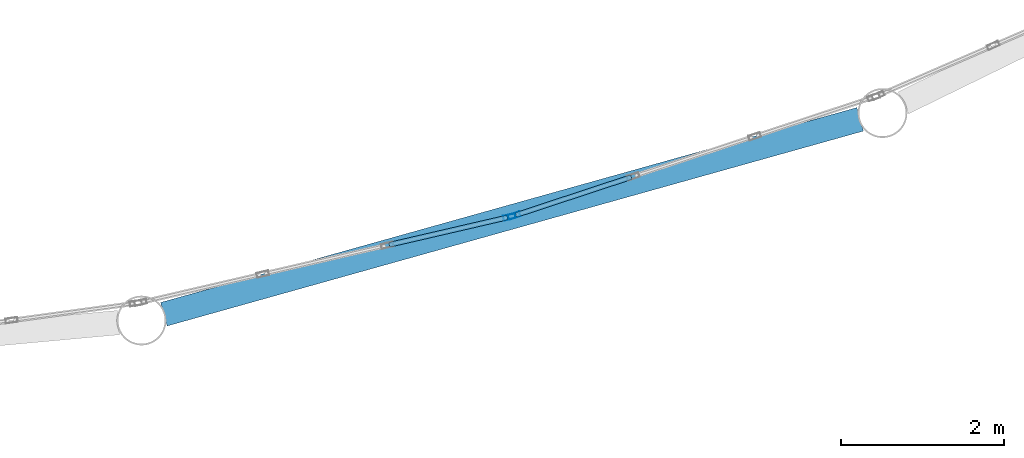
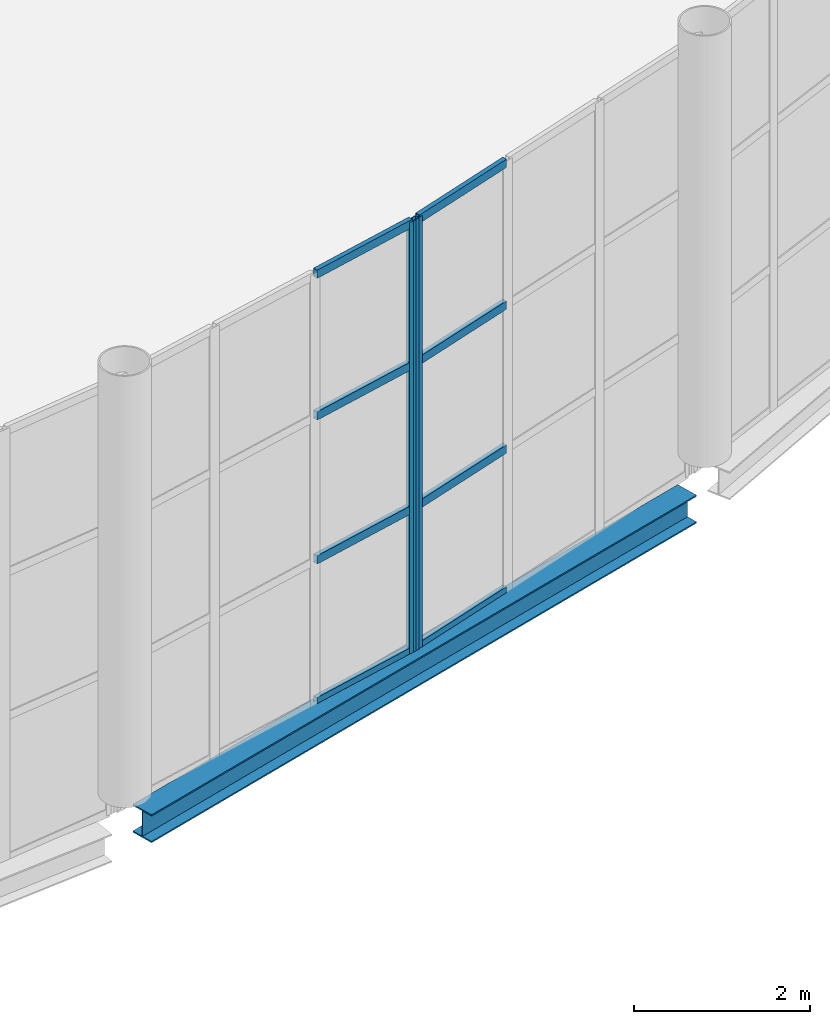
# One storey, part 44 of 191: 10 members, 1 beam, 2 elements without a shape of their own.
"""IFC4 building model written with IfcOpenShell, lengths in metres."""

from ifc_helpers import new_model, si_unit, direction, frame, origin, origin_2d, place, context, subcontext, project, spatial, hollow_rectangle, i_section, extrude, material, layer, layer_set, material_profile, profile_set, type_object, element, aggregate, save


model = new_model("IFC4")

# Units and contexts
model_context = context("Model", 3, precision=1e-05, world=origin(), true_north=direction((0.0, 1.0)))
body_context = subcontext(model_context, "Body", "Model", "MODEL_VIEW")
ifc_project = project(units=[si_unit("LENGTHUNIT", "METRE"), si_unit("AREAUNIT", "SQUARE_METRE"), si_unit("VOLUMEUNIT", "CUBIC_METRE"), si_unit("PLANEANGLEUNIT", "RADIAN"), si_unit("MASSUNIT", "GRAM", prefix="KILO")], contexts=[model_context])

# Site, building, storey
site_placement = place(None, origin())
site = spatial("IfcSite", under=ifc_project, at=site_placement, CompositionType="ELEMENT")
building_placement = place(site_placement, origin())
building = spatial("IfcBuilding", under=site, at=building_placement, Name="Tamarisk Ironworks Central Station", CompositionType="ELEMENT")
storey_placement = place(building_placement, frame((0.0, 0.0, 6.60009765625)))
storey = spatial("IfcBuildingStorey", under=building, at=storey_placement, Name="L01", CompositionType="ELEMENT", Elevation=6.60009765625)

# Beam
ifc_material_1 = material(Name="Structural steel S355J2", Category="steel")
ifc_material_profile_1 = material_profile(ifc_material_1, i_section(OverallWidth=0.300048828125, OverallDepth=0.389892578125, WebThickness=0.010986328125, FlangeThickness=0.01904296875, at=origin_2d()), Name="HEA 400")
ifc_profile_set_1 = profile_set([ifc_material_profile_1], Name="Structural steel S355J2")
beam_type = type_object("IfcBeamType", Name="BM-G07", PredefinedType="BEAM", material=ifc_profile_set_1)
beam_placement = place(storey_placement, frame((90.685302734375, 4.176513671875, -0.5751953125), z_axis=(0.962975154525, 0.269590155174, 0.0), x_axis=(-0.269590155174, 0.962975154525, 0.0)))
element("IfcBeam", 1, at=beam_placement, inside=storey, type_object=beam_type, Name="SN rounded nose L01 chord girder 009", PredefinedType="BEAM", context=body_context, shape_type="SweptSolid", body=[
    extrude(i_section(OverallWidth=0.300048828125, OverallDepth=0.389892578125, WebThickness=0.010986328125, FlangeThickness=0.01904296875, at=origin_2d()), origin(), (0.0, 0.0, 1.0), 8.88037109375),
])

# Curtain wall, member
ifc_material_2 = material(Name="Anodized aluminium alloy 6063-T6", Category="aluminium")
ifc_layer = layer(ifc_material_2, 0.179931640625)
ifc_layer_set = layer_set([ifc_layer], Name="Anodized aluminium alloy 6063-T6")
curtain_wall_type = type_object("IfcCurtainWallType", Name="CW-02", PredefinedType="USERDEFINED", material=ifc_layer_set)
curtain_wall_1_placement = place(storey_placement, origin())
curtain_wall_1 = element("IfcCurtainWall", 2, at=curtain_wall_1_placement, inside=storey, type_object=curtain_wall_type, Name="SN rounded entrance hall L01 curtain wall bay 09", ObjectType="GLAZED CURTAIN WALL", PredefinedType="USERDEFINED")
ifc_material_profile_2 = material_profile(ifc_material_2, hollow_rectangle(XDim=0.06005859375, YDim=0.14990234375, WallThickness=0.00341796875, at=origin_2d()), Name="ALUM 150x60")
ifc_profile_set_2 = profile_set([ifc_material_profile_2], Name="Anodized aluminium alloy 6063-T6")
member_type_1 = type_object("IfcMemberType", Name="CWM-03", PredefinedType="MULLION", material=ifc_profile_set_2)
member_1_placement = place(storey_placement, frame((94.9296875, 5.371337890625, -0.385009765625), z_axis=(0.0, 0.0, 1.0), x_axis=(-0.225516966506, 0.974239240545, 0.0)))
member_1 = element("IfcMember", 3, at=member_1_placement, type_object=member_type_1, Name="CW02 mullion 4", PredefinedType="MULLION", context=body_context, shape_type="SweptSolid", body=[
    extrude(hollow_rectangle(XDim=0.06005859375, YDim=0.14990234375, WallThickness=0.00341796875, at=origin_2d()), origin(), (0.0, 0.0, 1.0), 6.0048828125),
])

curtain_wall_2_placement = place(storey_placement, origin())
curtain_wall_2 = element("IfcCurtainWall", 4, at=curtain_wall_2_placement, inside=storey, type_object=curtain_wall_type, Name="SN rounded entrance hall L01 curtain wall bay 10", ObjectType="GLAZED CURTAIN WALL", PredefinedType="USERDEFINED")
member_2_placement = place(storey_placement, frame((94.9873046875, 5.387451171875, -0.385009765625), z_axis=(0.0, 0.0, 1.0), x_axis=(-0.313098460171, 0.949720671692, 0.0)))
member_2 = element("IfcMember", 5, at=member_2_placement, type_object=member_type_1, Name="CW02 mullion 1", PredefinedType="MULLION", context=body_context, shape_type="SweptSolid", body=[
    extrude(hollow_rectangle(XDim=0.06005859375, YDim=0.14990234375, WallThickness=0.00341796875, at=origin_2d()), origin(), (0.0, 0.0, 1.0), 6.0048828125),
])

# Member
ifc_material_profile_3 = material_profile(ifc_material_2, hollow_rectangle(XDim=0.06005859375, YDim=0.114990234375, WallThickness=0.00341796875, at=origin_2d()), Name="ALUM 115x60")
ifc_profile_set_3 = profile_set([ifc_material_profile_3], Name="Anodized aluminium alloy 6063-T6")
member_type_2 = type_object("IfcMemberType", Name="CWT-03", PredefinedType="USERDEFINED", material=ifc_profile_set_3)
member_3_placement = place(storey_placement, frame((93.454833984375, 5.02978515625, -0.35498046875), z_axis=(0.97421389577, 0.225626428614, 0.0), x_axis=(-0.225626428614, 0.97421389577, 0.0)))
member_3 = element("IfcMember", 6, at=member_3_placement, type_object=member_type_2, Name="CW02 transom 3.1", ObjectType="TRANSOM", PredefinedType="USERDEFINED", context=body_context, shape_type="SweptSolid", body=[
    extrude(hollow_rectangle(XDim=0.06005859375, YDim=0.114990234375, WallThickness=0.00341796875, at=origin_2d()), origin(), (0.0, 0.0, 1.0), 1.48779296875),
])

member_4_placement = place(storey_placement, frame((93.454833984375, 5.02978515625, 1.61669921875), z_axis=(0.97421389577, 0.225626428614, 0.0), x_axis=(-0.225626428614, 0.97421389577, 0.0)))
member_4 = element("IfcMember", 7, at=member_4_placement, type_object=member_type_2, Name="CW02 transom 3.2", ObjectType="TRANSOM", PredefinedType="USERDEFINED", context=body_context, shape_type="SweptSolid", body=[
    extrude(hollow_rectangle(XDim=0.06005859375, YDim=0.114990234375, WallThickness=0.00341796875, at=origin_2d()), origin(), (0.0, 0.0, 1.0), 1.48779296875),
])

member_5_placement = place(storey_placement, frame((93.454833984375, 5.02978515625, 3.6181640625), z_axis=(0.97421389577, 0.225626428614, 0.0), x_axis=(-0.225626428614, 0.97421389577, 0.0)))
member_5 = element("IfcMember", 8, at=member_5_placement, type_object=member_type_2, Name="CW02 transom 3.3", ObjectType="TRANSOM", PredefinedType="USERDEFINED", context=body_context, shape_type="SweptSolid", body=[
    extrude(hollow_rectangle(XDim=0.06005859375, YDim=0.114990234375, WallThickness=0.00341796875, at=origin_2d()), origin(), (0.0, 0.0, 1.0), 1.48779296875),
])

member_6_placement = place(storey_placement, frame((93.454833984375, 5.02978515625, 5.58984375), z_axis=(0.97421389577, 0.225626428614, 0.0), x_axis=(-0.225626428614, 0.97421389577, 0.0)))
member_6 = element("IfcMember", 9, at=member_6_placement, type_object=member_type_2, Name="CW02 transom 3.4", ObjectType="TRANSOM", PredefinedType="USERDEFINED", context=body_context, shape_type="SweptSolid", body=[
    extrude(hollow_rectangle(XDim=0.06005859375, YDim=0.114990234375, WallThickness=0.00341796875, at=origin_2d()), origin(), (0.0, 0.0, 1.0), 1.48779296875),
])

aggregate(curtain_wall_1, [member_1, member_3, member_4, member_5, member_6])

member_7_placement = place(storey_placement, frame((95.011962890625, 5.3955078125, -0.35498046875), z_axis=(0.949744294942, 0.31302679474, 0.0), x_axis=(-0.31302679474, 0.949744294942, 0.0)))
member_7 = element("IfcMember", 10, at=member_7_placement, type_object=member_type_2, Name="CW02 transom 1.1", ObjectType="TRANSOM", PredefinedType="USERDEFINED", context=body_context, shape_type="SweptSolid", body=[
    extrude(hollow_rectangle(XDim=0.06005859375, YDim=0.114990234375, WallThickness=0.00341796875, at=origin_2d()), origin(), (0.0, 0.0, 1.0), 1.488037109375),
])

member_8_placement = place(storey_placement, frame((95.011962890625, 5.3955078125, 1.61669921875), z_axis=(0.949744294942, 0.31302679474, 0.0), x_axis=(-0.31302679474, 0.949744294942, 0.0)))
member_8 = element("IfcMember", 11, at=member_8_placement, type_object=member_type_2, Name="CW02 transom 1.2", ObjectType="TRANSOM", PredefinedType="USERDEFINED", context=body_context, shape_type="SweptSolid", body=[
    extrude(hollow_rectangle(XDim=0.06005859375, YDim=0.114990234375, WallThickness=0.00341796875, at=origin_2d()), origin(), (0.0, 0.0, 1.0), 1.488037109375),
])

member_9_placement = place(storey_placement, frame((95.011962890625, 5.3955078125, 3.6181640625), z_axis=(0.949744294942, 0.31302679474, 0.0), x_axis=(-0.31302679474, 0.949744294942, 0.0)))
member_9 = element("IfcMember", 12, at=member_9_placement, type_object=member_type_2, Name="CW02 transom 1.3", ObjectType="TRANSOM", PredefinedType="USERDEFINED", context=body_context, shape_type="SweptSolid", body=[
    extrude(hollow_rectangle(XDim=0.06005859375, YDim=0.114990234375, WallThickness=0.00341796875, at=origin_2d()), origin(), (0.0, 0.0, 1.0), 1.488037109375),
])

member_10_placement = place(storey_placement, frame((95.011962890625, 5.3955078125, 5.58984375), z_axis=(0.949744294942, 0.31302679474, 0.0), x_axis=(-0.31302679474, 0.949744294942, 0.0)))
member_10 = element("IfcMember", 13, at=member_10_placement, type_object=member_type_2, Name="CW02 transom 1.4", ObjectType="TRANSOM", PredefinedType="USERDEFINED", context=body_context, shape_type="SweptSolid", body=[
    extrude(hollow_rectangle(XDim=0.06005859375, YDim=0.114990234375, WallThickness=0.00341796875, at=origin_2d()), origin(), (0.0, 0.0, 1.0), 1.488037109375),
])

aggregate(curtain_wall_2, [member_2, member_7, member_8, member_9, member_10])

save(model, "model.ifc")
